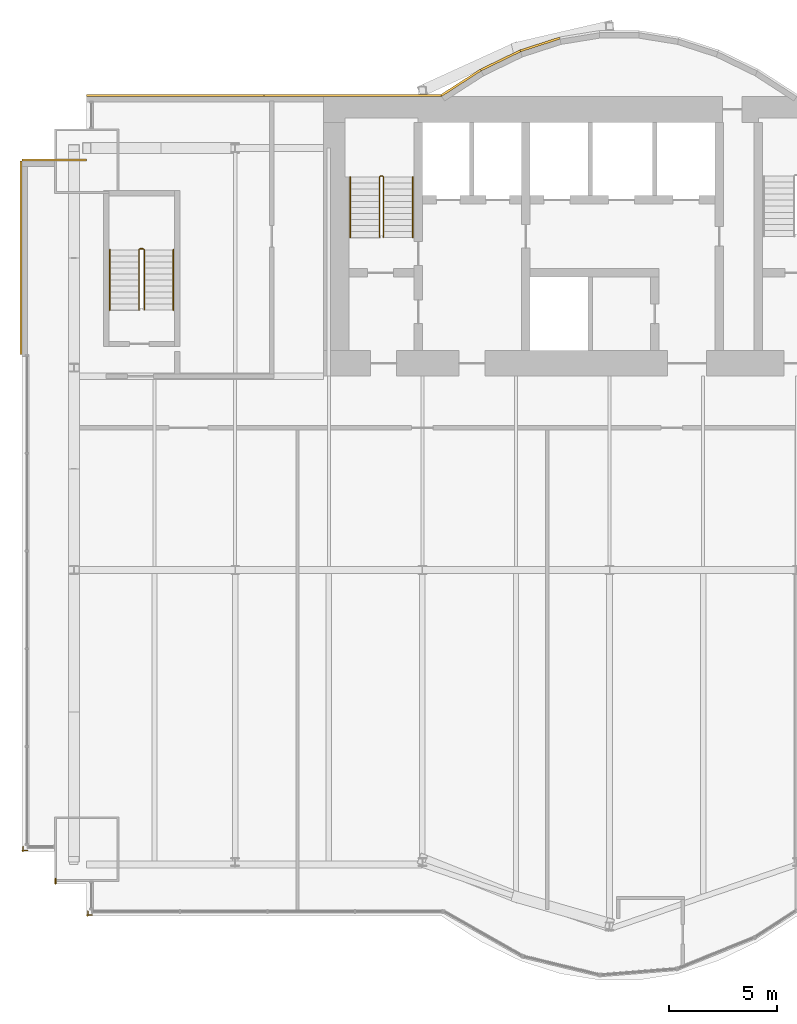
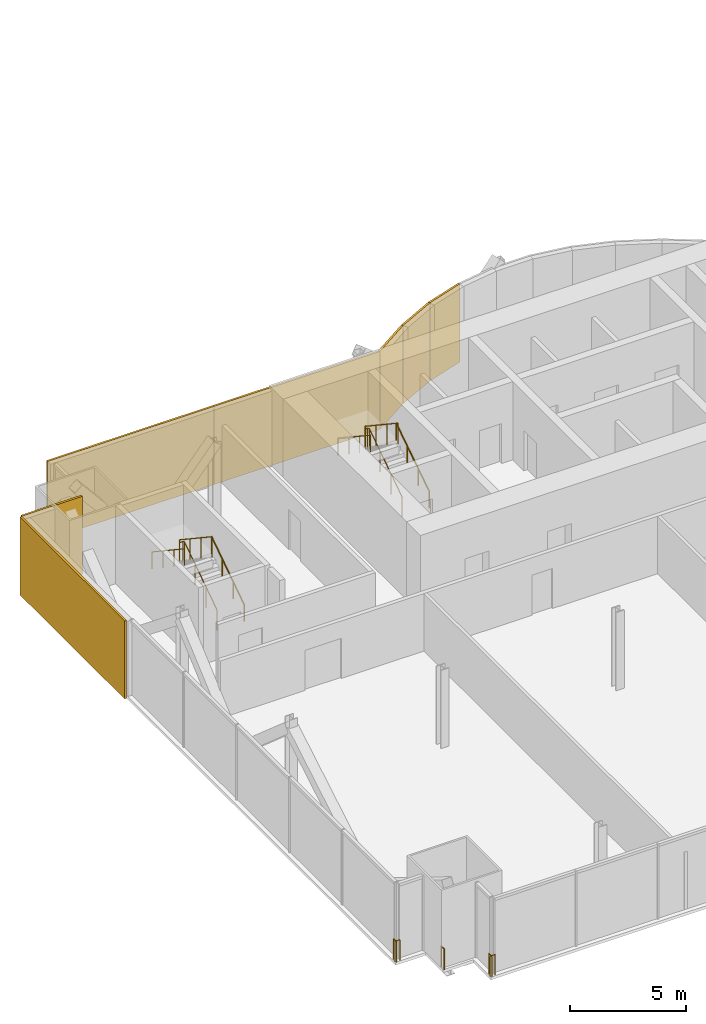
# One storey, part 19 of 21: 9 railings, 7 coverings.
"""IFC4 building model written with IfcOpenShell, lengths in metres."""

import ifcopenshell
import ifcopenshell.guid

model = None  # the IFC model being written
_history = None  # IfcOwnerHistory: only IFC2X3 demands one
_inside = {}  # id of a spatial element -> (the spatial element, [elements in it])
_under = {}  # id of a project, library or spatial element -> (it, [spatial elements below it])
_declared = {}  # id of a project -> (the project, [libraries it declares])
_typed = {}  # id of a type object -> (the type object, [elements of that type])
_made_of = {}  # id of a material, layer set ... -> (it, [elements and type objects made of it])


def new_model(schema):
    """Start an empty IFC model of exactly this schema.

    Asked for "IFC4X3", IfcOpenShell would pick the latest addendum, in which some entities
    have other attributes; the version numbers below select the first issue.
    IFC2X3 requires an IfcOwnerHistory on every rooted entity: one is made here for all.
    """
    global model, _history
    if schema == "IFC4X3":
        model = ifcopenshell.file(schema_version=(4, 3, 0, 0))
    else:
        model = ifcopenshell.file(schema=schema)
    _inside.clear()
    _under.clear()
    _declared.clear()
    _typed.clear()
    _made_of.clear()
    _history = None
    if model.schema == "IFC2X3":
        org = make("IfcOrganization", Name="unknown")
        user = make(
            "IfcPersonAndOrganization",
            ThePerson=make("IfcPerson", FamilyName="unknown"),
            TheOrganization=org,
        )
        app = make(
            "IfcApplication",
            ApplicationDeveloper=org,
            Version="unknown",
            ApplicationFullName="unknown",
            ApplicationIdentifier="unknown",
        )
        _history = make(
            "IfcOwnerHistory",
            OwningUser=user,
            OwningApplication=app,
            ChangeAction="ADDED",
            CreationDate=0,
        )
    return model


def make(cls, **values):
    """One entity of the class cls with the attributes given. An attribute that is None is left unset."""
    return model.create_entity(
        cls, **{name: value for name, value in values.items() if value is not None}
    )


def rooted(cls, **values):
    """An entity with a GlobalId (a new one), such as an element, a storey or a relation."""
    return make(cls, GlobalId=ifcopenshell.guid.new(), OwnerHistory=_history, **values)


def si_unit(unit_type, name, prefix=None):
    """IfcSIUnit, for example si_unit("LENGTHUNIT", "METRE", prefix="MILLI")."""
    return make("IfcSIUnit", UnitType=unit_type, Prefix=prefix, Name=name)


def assignment(units):
    """IfcUnitAssignment: the units of a project."""
    return None if units is None else make("IfcUnitAssignment", Units=units)


def point(xyz):
    """IfcCartesianPoint."""
    return None if xyz is None else make("IfcCartesianPoint", Coordinates=xyz)


def direction(xyz):
    """IfcDirection."""
    return None if xyz is None else make("IfcDirection", DirectionRatios=xyz)


def frame(location, z_axis=None, x_axis=None):
    """IfcAxis2Placement3D, a coordinate frame: its origin and axes. An axis left out is left unset."""
    return make(
        "IfcAxis2Placement3D",
        Location=point(location),
        Axis=direction(z_axis),
        RefDirection=direction(x_axis),
    )


def frame_2d(location, x_axis=None):
    """IfcAxis2Placement2D, a coordinate frame in the plane: its origin and x axis."""
    return make(
        "IfcAxis2Placement2D", Location=point(location), RefDirection=direction(x_axis)
    )


def origin():
    """The frame at (0, 0, 0) with its axes left unset."""
    return frame((0.0, 0.0, 0.0))


def origin_2d():
    """The frame at (0, 0) in the plane with its x axis left unset."""
    return frame_2d((0.0, 0.0))


def place(relative_to, where):
    """IfcLocalPlacement: puts the frame where relative to a parent placement (None: the world)."""
    return make(
        "IfcLocalPlacement", PlacementRelTo=relative_to, RelativePlacement=where
    )


def context(
    kind, dimensions, precision=None, world=None, true_north=None, identifier=None
):
    """IfcGeometricRepresentationContext, for example the 3D "Model" context."""
    return make(
        "IfcGeometricRepresentationContext",
        ContextIdentifier=identifier,
        ContextType=kind,
        CoordinateSpaceDimension=dimensions,
        Precision=precision,
        WorldCoordinateSystem=world,
        TrueNorth=true_north,
    )


def subcontext(parent, identifier, kind, view, scale=None):
    """IfcGeometricRepresentationSubContext, for example "Body" below "Model"."""
    return make(
        "IfcGeometricRepresentationSubContext",
        ContextIdentifier=identifier,
        ContextType=kind,
        ParentContext=parent,
        TargetScale=scale,
        TargetView=view,
    )


def project(units=None, contexts=None):
    """IfcProject with its units and contexts."""
    return rooted(
        "IfcProject",
        Name="project",
        RepresentationContexts=contexts,
        UnitsInContext=assignment(units),
    )


def spatial(cls, under=None, at=None, **own):
    """A site, building, storey or space (cls), placed at a placement, below another one or the project."""
    s = rooted(cls, ObjectPlacement=at, **own)
    if under is not None:
        _under.setdefault(under.id(), (under, []))[1].append(s)
    return s


def profile(cls, at=None, kind="AREA", **sizes):
    """A parametric profile (cls). Its sizes go by their IFC names, for example OverallWidth=200.0."""
    return make(cls, ProfileType=kind, Position=at, **sizes)


def rectangle(**sizes):
    """IfcRectangleProfileDef."""
    return profile("IfcRectangleProfileDef", **sizes)


def circle(**sizes):
    """IfcCircleProfileDef."""
    return profile("IfcCircleProfileDef", **sizes)


def extrude(swept, where, along, depth):
    """IfcExtrudedAreaSolid: the profile swept, set in the frame where, extruded along a direction by depth."""
    return make(
        "IfcExtrudedAreaSolid",
        SweptArea=swept,
        Position=where,
        ExtrudedDirection=direction(along),
        Depth=depth,
    )


def shape(context_of_items, identifier, shape_type, items):
    """IfcShapeRepresentation: the items that make up one representation, for example the "Body"."""
    return make(
        "IfcShapeRepresentation",
        ContextOfItems=context_of_items,
        RepresentationIdentifier=identifier,
        RepresentationType=shape_type,
        Items=items,
    )


def material(Name=None, Category=None):
    """IfcMaterial."""
    return make("IfcMaterial", Name=Name, Category=Category)


def layer(
    of_material, thickness, ventilated=None, Name=None, Category=None, Priority=None
):
    """IfcMaterialLayer: one layer of a wall or slab, of a material (None: an air gap)."""
    return make(
        "IfcMaterialLayer",
        Material=of_material,
        LayerThickness=thickness,
        IsVentilated=ventilated,
        Name=Name,
        Category=Category,
        Priority=Priority,
    )


def layer_set(layers, Name=None):
    """IfcMaterialLayerSet."""
    return make("IfcMaterialLayerSet", MaterialLayers=layers, LayerSetName=Name)


def made_of(thing, what):
    """Note that an element or type object is made of a material, layer set ...; save() writes the relation."""
    if what is not None:
        _made_of.setdefault(what.id(), (what, []))[1].append(thing)
    return thing


def type_object(cls, material=None, **own):
    """A type object (cls), such as IfcWallType, which elements share."""
    return made_of(rooted(cls, **own), material)


def element(
    cls,
    number,
    at=None,
    inside=None,
    cuts=None,
    type_object=None,
    material=None,
    context=None,
    identifier="Body",
    shape_type=None,
    held_by="IfcProductDefinitionShape",
    body=None,
    shapes=None,
    **own,
):
    """One element of the class cls, such as IfcWall. Its Tag is "e" and its number.

    at: its placement. inside: the storey or other place that contains it. cuts: it is an
    opening in that element (IfcRelVoidsElement). A single representation is given by context,
    identifier, shape_type and body (its items); several are given by shapes. held_by: the class
    of the entity that holds the representations. save() writes the other relations.
    """
    e = rooted(cls, Tag="e%d" % number, ObjectPlacement=at, **own)
    if body is not None:
        shapes = [shape(context, identifier, shape_type, body)]
    if shapes is not None:
        e.Representation = make(held_by, Representations=shapes)
    if inside is not None:
        _inside.setdefault(inside.id(), (inside, []))[1].append(e)
    if cuts is not None:
        rooted(
            "IfcRelVoidsElement", RelatingBuildingElement=cuts, RelatedOpeningElement=e
        )
    if type_object is not None:
        _typed.setdefault(type_object.id(), (type_object, []))[1].append(e)
    return made_of(e, material)


def aggregate(whole, parts):
    """IfcRelAggregates: a whole, such as a stair, and the parts it consists of."""
    return rooted("IfcRelAggregates", RelatingObject=whole, RelatedObjects=parts)


def save(model, path):
    """Write the relations noted so far, then the file.

    IfcRelAggregates (storeys below a building ...), IfcRelContainedInSpatialStructure (elements
    in a storey), IfcRelDefinesByType, IfcRelAssociatesMaterial and IfcRelDeclares: one each for
    every whole, place, type object, material and project.
    """
    for whole, parts in _under.values():
        aggregate(whole, parts)
    for where, things in _inside.values():
        rooted(
            "IfcRelContainedInSpatialStructure",
            RelatedElements=things,
            RelatingStructure=where,
        )
    for kind, things in _typed.values():
        rooted("IfcRelDefinesByType", RelatedObjects=things, RelatingType=kind)
    for what, things in _made_of.values():
        rooted("IfcRelAssociatesMaterial", RelatedObjects=things, RelatingMaterial=what)
    for by, libraries in _declared.values():
        rooted("IfcRelDeclares", RelatingContext=by, RelatedDefinitions=libraries)
    model.write(path)


model = new_model("IFC4")

# Units and contexts
model_context = context("Model", 3, precision=1e-05, world=origin(), true_north=direction((0.0, 1.0)))
body_context = subcontext(model_context, "Body", "Model", "MODEL_VIEW")
ifc_project = project(units=[si_unit("LENGTHUNIT", "METRE"), si_unit("AREAUNIT", "SQUARE_METRE"), si_unit("VOLUMEUNIT", "CUBIC_METRE"), si_unit("PLANEANGLEUNIT", "RADIAN"), si_unit("MASSUNIT", "GRAM", prefix="KILO")], contexts=[model_context])

# Site, building, storey
site_placement = place(None, origin())
site = spatial("IfcSite", under=ifc_project, at=site_placement, CompositionType="ELEMENT")
building_placement = place(site_placement, origin())
building = spatial("IfcBuilding", under=site, at=building_placement, Name="Bicima Exchange Tower", CompositionType="ELEMENT")
storey_placement = place(building_placement, frame((0.0, 0.0, 106.300048828125)))
storey = spatial("IfcBuildingStorey", under=building, at=storey_placement, Name="L22", CompositionType="ELEMENT", Elevation=106.300048828125)

# Coverings
ifc_material_1 = material(Name="Bronze metal cladding")
ifc_layer_1 = layer(ifc_material_1, 0.004)
ifc_material_2 = material(Name="Ventilated cavity")
ifc_layer_2 = layer(ifc_material_2, 0.06)
ifc_material_3 = material(Name="Galvanised steel rail and mineral wool", Category="steel")
ifc_layer_3 = layer(ifc_material_3, 0.036)
ifc_layer_set = layer_set([ifc_layer_1, ifc_layer_2, ifc_layer_3], Name="Ventilated cavity")
covering_type = type_object("IfcCoveringType", Name="Bronze metal cladding panel 100", PredefinedType="CLADDING", material=ifc_layer_set)
covering_1_placement = place(storey_placement, frame((-11.931884765625, 2.41796875, -0.150146484375), z_axis=(0.0, 0.0, 1.0), x_axis=(-0.951524642381, -0.307572519808, 0.0)))
element("IfcCovering", 1, at=covering_1_placement, inside=storey, type_object=covering_type, Name="Bronze cladding L22 17.1", PredefinedType="CLADDING", context=body_context, shape_type="SweptSolid", body=[
    extrude(rectangle(XDim=1.9267578125, YDim=0.10009765625, at=origin_2d()), origin(), (0.0, 0.0, 1.0), 4.10009765625),
])
covering_2_placement = place(storey_placement, frame((-13.771728515625, 1.674560546875, -0.150146484375), z_axis=(0.0, 0.0, 1.0), x_axis=(-0.899818346812, -0.436264762204, 0.0)))
element("IfcCovering", 2, at=covering_2_placement, inside=storey, type_object=covering_type, Name="Bronze cladding L22 18.1", PredefinedType="CLADDING", context=body_context, shape_type="SweptSolid", body=[
    extrude(rectangle(XDim=2.03759765625, YDim=0.10009765625, at=origin_2d()), origin(), (0.0, 0.0, 1.0), 4.10009765625),
])
covering_3_placement = place(storey_placement, frame((-15.610595703125, 0.634521484375, -0.150146484375), z_axis=(0.0, 0.0, 1.0), x_axis=(-0.839790466384, -0.542910648791, 0.0)))
element("IfcCovering", 3, at=covering_3_placement, inside=storey, type_object=covering_type, Name="Bronze cladding L22 19.1", PredefinedType="CLADDING", context=body_context, shape_type="SweptSolid", body=[
    extrude(rectangle(XDim=2.18310546875, YDim=0.10009765625, at=origin_2d()), origin(), (0.0, 0.0, 1.0), 4.10009765625),
])
for number, where, z_axis, x_axis, name in (
    (4, (-20.625, 0.050048828125, -0.150146484375), (0.0, 0.0, 1.0), (-1.0, 0.0, 0.0), "Bronze cladding L22 20.1"),
    (5, (-28.875, 0.050048828125, -0.150146484375), (0.0, 0.0, 1.0), (-1.0, 0.0, 0.0), "Bronze cladding L22 20.2"),
):
    element("IfcCovering", number, at=place(storey_placement, frame(where, z_axis=z_axis, x_axis=x_axis)), inside=storey, type_object=covering_type, Name=name, PredefinedType="CLADDING", context=body_context, shape_type="SweptSolid", body=[
        extrude(rectangle(XDim=8.25, YDim=0.10009765625, at=origin_2d()), origin(), (0.0, 0.0, 1.0), 4.10009765625),
    ])
covering_4_placement = place(storey_placement, frame((-34.5, -2.949951171875, -0.150146484375), z_axis=(0.0, 0.0, 1.0), x_axis=(-1.0, 0.0, 0.0)))
element("IfcCovering", 6, at=covering_4_placement, inside=storey, type_object=covering_type, Name="Bronze cladding L22 22.1", PredefinedType="CLADDING", context=body_context, shape_type="SweptSolid", body=[
    extrude(rectangle(XDim=3.0, YDim=0.10009765625, at=origin_2d()), origin(), (0.0, 0.0, 1.0), 4.10009765625),
])
covering_5_placement = place(storey_placement, frame((-36.050048828125, -7.5, -0.150146484375), z_axis=(0.0, 0.0, 1.0), x_axis=(0.0, -1.0, 0.0)))
element("IfcCovering", 7, at=covering_5_placement, inside=storey, type_object=covering_type, Name="Bronze cladding L22 23.1", PredefinedType="CLADDING", context=body_context, shape_type="SweptSolid", body=[
    extrude(rectangle(XDim=9.0, YDim=0.10009765625, at=origin_2d()), origin(), (0.0, 0.0, 1.0), 4.10009765625),
])

# Railings
ifc_material_4 = material(Name="Stainless steel and bonded safety glass", Category="steel")
railing_type_1 = type_object("IfcRailingType", Name="Edge guard 1100", PredefinedType="GUARDRAIL", material=ifc_material_4)
railing_1_placement = place(storey_placement, frame((-35.75, -35.0458984375, 0.0)))
element("IfcRailing", 8, at=railing_1_placement, inside=storey, type_object=railing_type_1, Name="Edge guard L22 103", PredefinedType="GUARDRAIL", context=body_context, shape_type="SweptSolid", body=[
    extrude(circle(Radius=0.02392578125, at=origin_2d()), frame((0.0, 0.0, 1.076171875), z_axis=(-1.0, 0.0, 0.0), x_axis=(0.0, -1.0, 0.0)), (0.0, 0.0, 1.0), 0.25),
    extrude(circle(Radius=0.02392578125, at=origin_2d()), frame((-0.25, 0.0, 1.076171875), z_axis=(0.707106781187, -0.707106781187, 0.0), x_axis=(0.707106781187, 0.707106781187, 0.0)), (0.0, 0.0, 1.0), 0.07080078125),
    extrude(circle(Radius=0.02392578125, at=origin_2d()), frame((-0.199951171875, -0.050048828125, 1.076171875), z_axis=(0.0, 1.0, 0.0), x_axis=(-1.0, 0.0, 0.0)), (0.0, 0.0, 1.0), 0.2490234375),
    extrude(circle(Radius=0.02099609375, at=origin_2d()), origin(), (0.0, 0.0, 1.0), 1.052001953125),
    extrude(circle(Radius=0.02099609375, at=origin_2d()), frame((-0.25, 0.0, 0.0)), (0.0, 0.0, 1.0), 1.052001953125),
    extrude(circle(Radius=0.02099609375, at=origin_2d()), frame((-0.199951171875, -0.050048828125, 0.0)), (0.0, 0.0, 1.0), 1.052001953125),
    extrude(circle(Radius=0.02099609375, at=origin_2d()), frame((-0.199951171875, 0.198974609375, 0.0)), (0.0, 0.0, 1.0), 1.052001953125),
])
railing_2_placement = place(storey_placement, frame((-32.75, -38.0458984375, 0.0)))
element("IfcRailing", 9, at=railing_2_placement, inside=storey, type_object=railing_type_1, Name="Edge guard L22 107", PredefinedType="GUARDRAIL", context=body_context, shape_type="SweptSolid", body=[
    extrude(circle(Radius=0.02392578125, at=origin_2d()), frame((0.0, 0.0, 1.076171875), z_axis=(-1.0, 0.0, 0.0), x_axis=(0.0, -1.0, 0.0)), (0.0, 0.0, 1.0), 0.25),
    extrude(circle(Radius=0.02392578125, at=origin_2d()), frame((-0.25, 0.0, 1.076171875), z_axis=(0.707106781187, -0.707106781187, 0.0), x_axis=(0.707106781187, 0.707106781187, 0.0)), (0.0, 0.0, 1.0), 0.07080078125),
    extrude(circle(Radius=0.02392578125, at=origin_2d()), frame((-0.199951171875, -0.050048828125, 1.076171875), z_axis=(0.0, 1.0, 0.0), x_axis=(-1.0, 0.0, 0.0)), (0.0, 0.0, 1.0), 0.25),
    extrude(circle(Radius=0.02099609375, at=origin_2d()), origin(), (0.0, 0.0, 1.0), 1.052001953125),
    extrude(circle(Radius=0.02099609375, at=origin_2d()), frame((-0.25, 0.0, 0.0)), (0.0, 0.0, 1.0), 1.052001953125),
    extrude(circle(Radius=0.02099609375, at=origin_2d()), frame((-0.199951171875, -0.050048828125, 0.0)), (0.0, 0.0, 1.0), 1.052001953125),
    extrude(circle(Radius=0.02099609375, at=origin_2d()), frame((-0.199951171875, 0.199951171875, 0.0)), (0.0, 0.0, 1.0), 1.052001953125),
])
railing_3_placement = place(storey_placement, frame((-34.449951171875, -36.595947265625, 0.0)))
element("IfcRailing", 10, at=railing_3_placement, inside=storey, type_object=railing_type_1, Name="Edge guard L22 108", PredefinedType="GUARDRAIL", context=body_context, shape_type="SweptSolid", body=[
    extrude(circle(Radius=0.02392578125, at=origin_2d()), frame((0.0, 0.0, 1.076171875), z_axis=(0.0, 1.0, 0.0), x_axis=(-1.0, 0.0, 0.0)), (0.0, 0.0, 1.0), 0.25),
    extrude(circle(Radius=0.02099609375, at=origin_2d()), origin(), (0.0, 0.0, 1.0), 1.052001953125),
    extrude(circle(Radius=0.02099609375, at=origin_2d()), frame((0.0, 0.25, 0.0)), (0.0, 0.0, 1.0), 1.052001953125),
])
ifc_material_5 = material(Name="Stainless steel", Category="steel")
railing_type_2 = type_object("IfcRailingType", Name="Stair guard 1100", PredefinedType="GUARDRAIL", material=ifc_material_5)
railing_4_placement = place(storey_placement, frame((-19.199951171875, -6.550048828125, 0.186279296875)))
element("IfcRailing", 11, at=railing_4_placement, inside=storey, type_object=railing_type_2, Name="L22 ST-W stair guard 1", PredefinedType="GUARDRAIL", context=body_context, shape_type="SweptSolid", body=[
    extrude(circle(Radius=0.02392578125, at=origin_2d()), frame((0.0, 0.0, 1.076171875), z_axis=(0.0, 0.832452072856, 0.554097055034), x_axis=(-1.0, 0.0, 0.0)), (0.0, 0.0, 1.0), 3.363525390625),
    extrude(circle(Radius=0.02392578125, at=origin_2d()), frame((0.0, 2.800048828125, 2.93994140625), z_axis=(-0.707106781187, 0.707106781187, 0.0), x_axis=(-0.707106781187, -0.707106781187, 0.0)), (0.0, 0.0, 1.0), 0.07080078125),
    extrude(circle(Radius=0.02392578125, at=origin_2d()), frame((-0.050048828125, 2.85009765625, 2.93994140625), z_axis=(-1.0, 0.0, 0.0), x_axis=(0.0, -1.0, 0.0)), (0.0, 0.0, 1.0), 0.10009765625),
    extrude(circle(Radius=0.02392578125, at=origin_2d()), frame((-0.150146484375, 2.85009765625, 2.93994140625), z_axis=(-0.250008635948, -0.251234168477, 0.935081319748), x_axis=(0.708833529934, -0.705375805398, 0.0)), (0.0, 0.0, 1.0), 0.19921875),
    extrude(circle(Radius=0.02392578125, at=origin_2d()), frame((-0.199951171875, 2.800048828125, 3.1259765625), z_axis=(0.0, -0.832485552168, 0.554046753832), x_axis=(1.0, 0.0, 0.0)), (0.0, 0.0, 1.0), 3.363525390625),
    extrude(circle(Radius=0.02099609375, at=origin_2d()), origin(), (0.0, 0.0, 1.0), 1.052001953125),
    extrude(circle(Radius=0.02099609375, at=origin_2d()), frame((0.0, 0.933349609375, 0.621337890625)), (0.0, 0.0, 1.0), 1.052001953125),
    extrude(circle(Radius=0.02099609375, at=origin_2d()), frame((0.0, 1.86669921875, 1.242431640625)), (0.0, 0.0, 1.0), 1.052001953125),
    extrude(circle(Radius=0.02099609375, at=origin_2d()), frame((0.0, 2.800048828125, 1.86376953125)), (0.0, 0.0, 1.0), 1.052001953125),
    extrude(circle(Radius=0.02099609375, at=origin_2d()), frame((-0.050048828125, 2.85009765625, 1.86376953125)), (0.0, 0.0, 1.0), 1.052001953125),
    extrude(circle(Radius=0.02099609375, at=origin_2d()), frame((-0.150146484375, 2.85009765625, 1.86376953125)), (0.0, 0.0, 1.0), 1.052001953125),
    extrude(circle(Radius=0.02099609375, at=origin_2d()), frame((-0.199951171875, 2.800048828125, 2.050048828125)), (0.0, 0.0, 1.0), 1.052001953125),
    extrude(circle(Radius=0.02099609375, at=origin_2d()), frame((-0.199951171875, 1.86669921875, 2.671142578125)), (0.0, 0.0, 1.0), 1.052001953125),
    extrude(circle(Radius=0.02099609375, at=origin_2d()), frame((-0.199951171875, 0.933349609375, 3.29248046875)), (0.0, 0.0, 1.0), 1.052001953125),
    extrude(circle(Radius=0.02099609375, at=origin_2d()), frame((-0.199951171875, 0.0, 3.91357421875)), (0.0, 0.0, 1.0), 1.052001953125),
])
railing_5_placement = place(storey_placement, frame((-30.324951171875, -9.925048828125, 0.186279296875)))
element("IfcRailing", 12, at=railing_5_placement, inside=storey, type_object=railing_type_2, Name="L22 ST-WW stair guard 1", PredefinedType="GUARDRAIL", context=body_context, shape_type="SweptSolid", body=[
    extrude(circle(Radius=0.02392578125, at=origin_2d()), frame((0.0, 0.0, 1.076171875), z_axis=(0.0, 0.832452072856, 0.554097055034), x_axis=(-1.0, 0.0, 0.0)), (0.0, 0.0, 1.0), 3.363525390625),
    extrude(circle(Radius=0.02392578125, at=origin_2d()), frame((0.0, 2.800048828125, 2.93994140625), z_axis=(-0.707106781187, 0.707106781187, 0.0), x_axis=(-0.707106781187, -0.707106781187, 0.0)), (0.0, 0.0, 1.0), 0.07080078125),
    extrude(circle(Radius=0.02392578125, at=origin_2d()), frame((-0.050048828125, 2.85009765625, 2.93994140625), z_axis=(-1.0, 0.0, 0.0), x_axis=(0.0, -1.0, 0.0)), (0.0, 0.0, 1.0), 0.14990234375),
    extrude(circle(Radius=0.02392578125, at=origin_2d()), frame((-0.199951171875, 2.85009765625, 2.93994140625), z_axis=(-0.251157038772, -0.251157038772, 0.934794246747), x_axis=(0.707106781187, -0.707106781187, 0.0)), (0.0, 0.0, 1.0), 0.19921875),
    extrude(circle(Radius=0.02392578125, at=origin_2d()), frame((-0.25, 2.800048828125, 3.1259765625), z_axis=(0.0, -0.832485552168, 0.554046753832), x_axis=(1.0, 0.0, 0.0)), (0.0, 0.0, 1.0), 3.363525390625),
    extrude(circle(Radius=0.02099609375, at=origin_2d()), origin(), (0.0, 0.0, 1.0), 1.052001953125),
    extrude(circle(Radius=0.02099609375, at=origin_2d()), frame((0.0, 0.933349609375, 0.621337890625)), (0.0, 0.0, 1.0), 1.052001953125),
    extrude(circle(Radius=0.02099609375, at=origin_2d()), frame((0.0, 1.86669921875, 1.242431640625)), (0.0, 0.0, 1.0), 1.052001953125),
    extrude(circle(Radius=0.02099609375, at=origin_2d()), frame((0.0, 2.800048828125, 1.86376953125)), (0.0, 0.0, 1.0), 1.052001953125),
    extrude(circle(Radius=0.02099609375, at=origin_2d()), frame((-0.050048828125, 2.85009765625, 1.86376953125)), (0.0, 0.0, 1.0), 1.052001953125),
    extrude(circle(Radius=0.02099609375, at=origin_2d()), frame((-0.199951171875, 2.85009765625, 1.86376953125)), (0.0, 0.0, 1.0), 1.052001953125),
    extrude(circle(Radius=0.02099609375, at=origin_2d()), frame((-0.25, 2.800048828125, 2.050048828125)), (0.0, 0.0, 1.0), 1.052001953125),
    extrude(circle(Radius=0.02099609375, at=origin_2d()), frame((-0.25, 1.86669921875, 2.671142578125)), (0.0, 0.0, 1.0), 1.052001953125),
    extrude(circle(Radius=0.02099609375, at=origin_2d()), frame((-0.25, 0.933349609375, 3.29248046875)), (0.0, 0.0, 1.0), 1.052001953125),
    extrude(circle(Radius=0.02099609375, at=origin_2d()), frame((-0.25, 0.0, 3.91357421875)), (0.0, 0.0, 1.0), 1.052001953125),
])
railing_type_3 = type_object("IfcRailingType", Name="Stair handrail 900", PredefinedType="HANDRAIL", material=ifc_material_5)
railing_6_placement = place(storey_placement, frame((-17.85009765625, -6.550048828125, 0.186279296875)))
element("IfcRailing", 13, at=railing_6_placement, inside=storey, type_object=railing_type_3, Name="L22 ST-W stair handrail 1", PredefinedType="HANDRAIL", context=body_context, shape_type="SweptSolid", body=[
    extrude(circle(Radius=0.02392578125, at=origin_2d()), frame((0.0, 0.0, 0.8759765625), z_axis=(0.0, 0.832452072856, 0.554097055034), x_axis=(-1.0, 0.0, 0.0)), (0.0, 0.0, 1.0), 3.363525390625),
    extrude(circle(Radius=0.02099609375, at=origin_2d()), origin(), (0.0, 0.0, 1.0), 0.851806640625),
    extrude(circle(Radius=0.02099609375, at=origin_2d()), frame((0.0, 0.933349609375, 0.621337890625)), (0.0, 0.0, 1.0), 0.851806640625),
    extrude(circle(Radius=0.02099609375, at=origin_2d()), frame((0.0, 1.86669921875, 1.242431640625)), (0.0, 0.0, 1.0), 0.851806640625),
    extrude(circle(Radius=0.02099609375, at=origin_2d()), frame((0.0, 2.800048828125, 1.86376953125)), (0.0, 0.0, 1.0), 0.851806640625),
])
railing_7_placement = place(storey_placement, frame((-20.75, -3.75, 2.276611328125)))
element("IfcRailing", 14, at=railing_7_placement, inside=storey, type_object=railing_type_3, Name="L22 ST-W stair handrail 2", PredefinedType="HANDRAIL", context=body_context, shape_type="SweptSolid", body=[
    extrude(circle(Radius=0.02392578125, at=origin_2d()), frame((0.0, 0.0, 0.8759765625), z_axis=(0.0, -0.832452072856, 0.554097055034), x_axis=(1.0, 0.0, 0.0)), (0.0, 0.0, 1.0), 3.363525390625),
    extrude(circle(Radius=0.02099609375, at=origin_2d()), origin(), (0.0, 0.0, 1.0), 0.851806640625),
    extrude(circle(Radius=0.02099609375, at=origin_2d()), frame((0.0, -0.933349609375, 0.621337890625)), (0.0, 0.0, 1.0), 0.851806640625),
    extrude(circle(Radius=0.02099609375, at=origin_2d()), frame((0.0, -1.86669921875, 1.242431640625)), (0.0, 0.0, 1.0), 0.851806640625),
    extrude(circle(Radius=0.02099609375, at=origin_2d()), frame((0.0, -2.800048828125, 1.86376953125)), (0.0, 0.0, 1.0), 0.851806640625),
])
railing_8_placement = place(storey_placement, frame((-28.97509765625, -9.925048828125, 0.186279296875)))
element("IfcRailing", 15, at=railing_8_placement, inside=storey, type_object=railing_type_3, Name="L22 ST-WW stair handrail 1", PredefinedType="HANDRAIL", context=body_context, shape_type="SweptSolid", body=[
    extrude(circle(Radius=0.02392578125, at=origin_2d()), frame((0.0, 0.0, 0.8759765625), z_axis=(0.0, 0.832452072856, 0.554097055034), x_axis=(-1.0, 0.0, 0.0)), (0.0, 0.0, 1.0), 3.363525390625),
    extrude(circle(Radius=0.02099609375, at=origin_2d()), origin(), (0.0, 0.0, 1.0), 0.851806640625),
    extrude(circle(Radius=0.02099609375, at=origin_2d()), frame((0.0, 0.933349609375, 0.621337890625)), (0.0, 0.0, 1.0), 0.851806640625),
    extrude(circle(Radius=0.02099609375, at=origin_2d()), frame((0.0, 1.86669921875, 1.242431640625)), (0.0, 0.0, 1.0), 0.851806640625),
    extrude(circle(Radius=0.02099609375, at=origin_2d()), frame((0.0, 2.800048828125, 1.86376953125)), (0.0, 0.0, 1.0), 0.851806640625),
])
railing_9_placement = place(storey_placement, frame((-31.925048828125, -7.125, 2.276611328125)))
element("IfcRailing", 16, at=railing_9_placement, inside=storey, type_object=railing_type_3, Name="L22 ST-WW stair handrail 2", PredefinedType="HANDRAIL", context=body_context, shape_type="SweptSolid", body=[
    extrude(circle(Radius=0.02392578125, at=origin_2d()), frame((0.0, 0.0, 0.8759765625), z_axis=(0.0, -0.832452072856, 0.554097055034), x_axis=(1.0, 0.0, 0.0)), (0.0, 0.0, 1.0), 3.363525390625),
    extrude(circle(Radius=0.02099609375, at=origin_2d()), origin(), (0.0, 0.0, 1.0), 0.851806640625),
    extrude(circle(Radius=0.02099609375, at=origin_2d()), frame((0.0, -0.933349609375, 0.621337890625)), (0.0, 0.0, 1.0), 0.851806640625),
    extrude(circle(Radius=0.02099609375, at=origin_2d()), frame((0.0, -1.86669921875, 1.242431640625)), (0.0, 0.0, 1.0), 0.851806640625),
    extrude(circle(Radius=0.02099609375, at=origin_2d()), frame((0.0, -2.800048828125, 1.86376953125)), (0.0, 0.0, 1.0), 0.851806640625),
])

save(model, "model.ifc")
